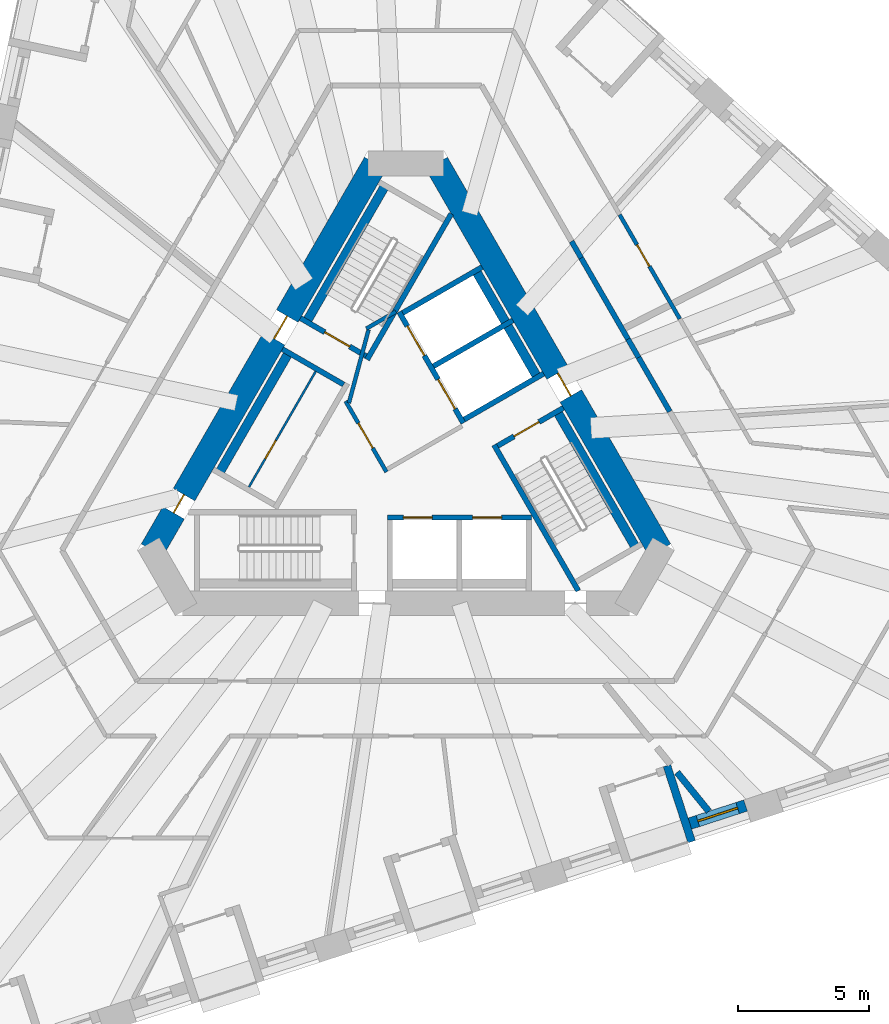
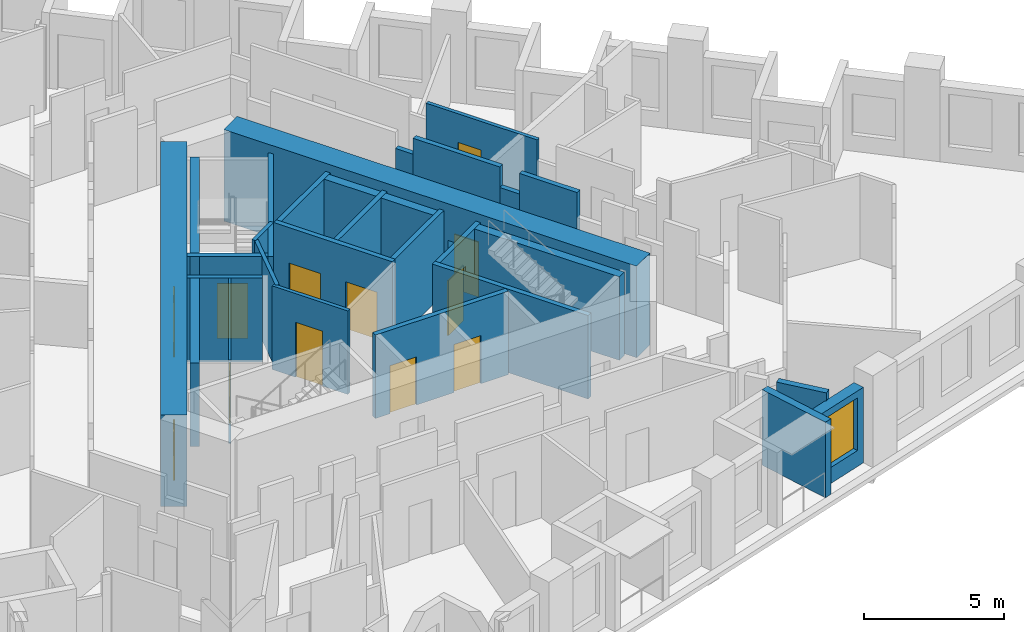
# One storey, part 5 of 13: 28 walls, 12 doors, 1 window, 13 openings.
"""IFC4 building model written with IfcOpenShell, lengths in metres."""

from ifc_helpers import new_model, si_unit, direction, frame, frame_2d, origin, place, context, subcontext, project, spatial, rectangle, extrude, material, layer, layer_set, type_object, element, fill, save


model = new_model("IFC4")

# Units and contexts
model_context = context("Model", 3, precision=1e-05, world=origin(), true_north=direction((0.0, 1.0)))
body_context = subcontext(model_context, "Body", "Model", "MODEL_VIEW")
ifc_project = project(units=[si_unit("LENGTHUNIT", "METRE"), si_unit("AREAUNIT", "SQUARE_METRE"), si_unit("VOLUMEUNIT", "CUBIC_METRE"), si_unit("PLANEANGLEUNIT", "RADIAN"), si_unit("MASSUNIT", "GRAM", prefix="KILO")], contexts=[model_context])

# Site, building, storey
site_placement = place(None, origin())
site = spatial("IfcSite", under=ifc_project, at=site_placement, CompositionType="ELEMENT")
building_placement = place(site_placement, origin())
building = spatial("IfcBuilding", under=site, at=building_placement, Name="Tramontana Tower", CompositionType="ELEMENT")
storey_placement = place(building_placement, frame((0.0, 0.0, 112.39990234375)))
storey = spatial("IfcBuildingStorey", under=building, at=storey_placement, Name="L25", CompositionType="ELEMENT", Elevation=112.39990234375)

# Wall, openings, doors
ifc_material_1 = material(Name="Concrete 70 MPa", Category="concrete")
ifc_layer_1 = layer(ifc_material_1, 0.949951171875)
ifc_layer_set_1 = layer_set([ifc_layer_1], Name="Core wall 950 70 MPa")
wall_type_1 = type_object("IfcWallType", Name="Core wall 950 70 MPa", PredefinedType="SHEAR", material=ifc_layer_set_1)
wall_1_placement = place(storey_placement, frame((-1.169189453125, 10.52490234375, 0.0), z_axis=(0.0, 0.0, 1.0), x_axis=(-0.499999102847, -0.866025921755, 0.0)))
wall_1 = element("IfcWall", 1, at=wall_1_placement, inside=storey, type_object=wall_type_1, Name="Core wall C1 L25", PredefinedType="SHEAR", context=body_context, shape_type="SweptSolid", body=[
    extrude(rectangle(XDim=17.060546875, YDim=0.949951171875, at=frame_2d((8.5302734375, 0.0))), origin(), (0.0, 0.0, 1.0), 4.0),
])
opening_1_placement = place(wall_1_placement, frame((6.7353515625, 0.0, 0.0)))
opening_1 = element("IfcOpeningElement", 2, at=opening_1_placement, cuts=wall_1, Name="Opening RG1", PredefinedType="OPENING", context=body_context, shape_type="SweptSolid", body=[
    extrude(rectangle(XDim=1.0, YDim=2.39990234375, at=frame_2d((0.5, 1.199951171875))), frame((0.0, 0.48486328125, 0.0), z_axis=(0.0, -1.0, 0.0), x_axis=(1.0, 0.0, 0.0)), (0.0, 0.0, 1.0), 0.969970703125),
])
opening_2_placement = place(wall_1_placement, frame((14.612548828125, 0.0, 0.0)))
opening_2 = element("IfcOpeningElement", 3, at=opening_2_placement, cuts=wall_1, Name="Opening PD1", PredefinedType="OPENING", context=body_context, shape_type="SweptSolid", body=[
    extrude(rectangle(XDim=0.800048828125, YDim=2.10009765625, at=frame_2d((0.39990234375, 1.050048828125))), frame((0.0, 0.48486328125, 0.0), z_axis=(0.0, -1.0, 0.0), x_axis=(1.0, 0.0, 0.0)), (0.0, 0.0, 1.0), 0.969970703125),
])
ifc_material_2 = material(Name="Painted steel", Category="steel")
door_type_1 = type_object("IfcDoorType", Name="CUPBOARD DOOR 800", OperationType="SINGLE_SWING_LEFT", PredefinedType="DOOR", material=ifc_material_2)
door_1_placement = place(opening_2_placement, origin())
door_1 = element("IfcDoor", 4, at=door_1_placement, inside=storey, type_object=door_type_1, Name="Door PD1", OperationType="SINGLE_SWING_LEFT", OverallHeight=2.10009765625, OverallWidth=0.800048828125, PredefinedType="DOOR", context=body_context, shape_type="SweptSolid", body=[
    extrude(rectangle(XDim=0.800048828125, YDim=2.10009765625, at=frame_2d((0.39990234375, 1.050048828125))), frame((0.0, 0.02490234375, 0.0), z_axis=(0.0, -1.0, 0.0), x_axis=(1.0, 0.0, 0.0)), (0.0, 0.0, 1.0), 0.050048828125),
])
fill(opening_2, door_1)
ifc_material_3 = material(Name="Painted steel", Category="steel")
door_type_2 = type_object("IfcDoorType", Name="RING DOOR 1000", OperationType="SINGLE_SWING_LEFT", PredefinedType="DOOR", material=ifc_material_3)
door_2_placement = place(opening_1_placement, origin())
door_2 = element("IfcDoor", 5, at=door_2_placement, inside=storey, type_object=door_type_2, Name="Door RG1", OperationType="SINGLE_SWING_RIGHT", OverallHeight=2.39990234375, OverallWidth=1.0, PredefinedType="DOOR", context=body_context, shape_type="SweptSolid", body=[
    extrude(rectangle(XDim=1.0, YDim=2.39990234375, at=frame_2d((0.5, 1.199951171875))), frame((0.0, 0.02490234375, 0.0), z_axis=(0.0, -1.0, 0.0), x_axis=(1.0, 0.0, 0.0)), (0.0, 0.0, 1.0), 0.050048828125),
])
fill(opening_1, door_2)

# Wall, opening, door
wall_2_placement = place(storey_placement, frame((9.699462890625, -4.25, 0.0), z_axis=(0.0, 0.0, 1.0), x_axis=(-0.499999102847, 0.866025921755, 0.0)))
wall_2 = element("IfcWall", 6, at=wall_2_placement, inside=storey, type_object=wall_type_1, Name="Core wall C5 L25", PredefinedType="SHEAR", context=body_context, shape_type="SweptSolid", body=[
    extrude(rectangle(XDim=17.060546875, YDim=0.949951171875, at=frame_2d((8.5302734375, 0.0))), origin(), (0.0, 0.0, 1.0), 4.0),
])
opening_3_placement = place(wall_2_placement, frame((6.805419921875, 0.0, 0.0)))
opening_3 = element("IfcOpeningElement", 7, at=opening_3_placement, cuts=wall_2, Name="Opening RG3", PredefinedType="OPENING", context=body_context, shape_type="SweptSolid", body=[
    extrude(rectangle(XDim=1.0, YDim=2.39990234375, at=frame_2d((0.5, 1.199951171875))), frame((0.0, 0.48486328125, 0.0), z_axis=(0.0, -1.0, 0.0), x_axis=(1.0, 0.0, 0.0)), (0.0, 0.0, 1.0), 0.969970703125),
])
door_3_placement = place(opening_3_placement, origin())
door_3 = element("IfcDoor", 8, at=door_3_placement, inside=storey, type_object=door_type_2, Name="Door RG3", OperationType="SINGLE_SWING_RIGHT", OverallHeight=2.39990234375, OverallWidth=1.0, PredefinedType="DOOR", context=body_context, shape_type="SweptSolid", body=[
    extrude(rectangle(XDim=1.0, YDim=2.39990234375, at=frame_2d((0.5, 1.199951171875))), frame((0.0, 0.02490234375, 0.0), z_axis=(0.0, -1.0, 0.0), x_axis=(1.0, 0.0, 0.0)), (0.0, 0.0, 1.0), 0.050048828125),
])
fill(opening_3, door_3)

# Walls
ifc_material_4 = material(Name="Blockwork", Category="masonry")
ifc_layer_2 = layer(ifc_material_4, 0.199951171875)
ifc_layer_set_2 = layer_set([ifc_layer_2], Name="ENTRY WALL 200")
wall_type_2 = type_object("IfcWallType", Name="ENTRY WALL 200", PredefinedType="SOLIDWALL", material=ifc_layer_set_2)
wall_3_placement = place(storey_placement, frame((6.323974609375, 7.546630859375, 0.0), z_axis=(0.0, 0.0, 1.0), x_axis=(0.499885169746, -0.866091690913, 0.0)))
element("IfcWall", 9, at=wall_3_placement, inside=storey, type_object=wall_type_2, Name="Wall v22-ew0-3", PredefinedType="SOLIDWALL", context=body_context, shape_type="SweptSolid", body=[
    extrude(rectangle(XDim=0.736083984375, YDim=0.199951171875, at=frame_2d((0.3681640625, 0.0))), origin(), (0.0, 0.0, 1.0), 2.9501953125),
])
wall_4_placement = place(storey_placement, frame((6.69189453125, 6.9091796875, 0.0), z_axis=(0.0, 0.0, 1.0), x_axis=(0.500029679218, -0.866008267802, 0.0)))
element("IfcWall", 10, at=wall_4_placement, inside=storey, type_object=wall_type_2, Name="Wall v22-ew0-4", PredefinedType="SOLIDWALL", context=body_context, shape_type="SweptSolid", body=[
    extrude(rectangle(XDim=3.576904296875, YDim=0.199951171875, at=frame_2d((1.78857421875, 0.0))), origin(), (0.0, 0.0, 1.0), 3.650146484375),
])
wall_5_placement = place(storey_placement, frame((8.48046875, 3.8115234375, 0.0), z_axis=(0.0, 0.0, 1.0), x_axis=(0.499809598504, -0.866135304236, 0.0)))
element("IfcWall", 11, at=wall_5_placement, inside=storey, type_object=wall_type_2, Name="Wall v22-ew0-5", PredefinedType="SOLIDWALL", context=body_context, shape_type="SweptSolid", body=[
    extrude(rectangle(XDim=0.808349609375, YDim=0.199951171875, at=frame_2d((0.404296875, 0.0))), origin(), (0.0, 0.0, 1.0), 2.75),
])
wall_6_placement = place(storey_placement, frame((8.884521484375, 3.111328125, 0.0), z_axis=(0.0, 0.0, 1.0), x_axis=(0.500035462246, -0.866004928679, 0.0)))
element("IfcWall", 12, at=wall_6_placement, inside=storey, type_object=wall_type_2, Name="Wall v22-ew0-6", PredefinedType="SOLIDWALL", context=body_context, shape_type="SweptSolid", body=[
    extrude(rectangle(XDim=2.385498046875, YDim=0.199951171875, at=frame_2d((1.19287109375, 0.0))), origin(), (0.0, 0.0, 1.0), 3.650146484375),
])

# Wall, opening, window
ifc_material_5 = material(Name="Precast concrete 60 MPa", Category="concrete")
ifc_layer_3 = layer(ifc_material_5, 0.449951171875)
ifc_layer_set_3 = layer_set([ifc_layer_3], Name="Precast concrete 60 MPa, 450 mm")
wall_type_3 = type_object("IfcWallType", Name="EW1 Stone-faced precast wall 450", PredefinedType="SOLIDWALL", material=ifc_layer_set_3)
wall_7_placement = place(storey_placement, frame((10.8447265625, -14.69287109375, 0.0), z_axis=(0.0, 0.0, 1.0), x_axis=(0.951057328329, 0.30901449518, 0.0)))
wall_7 = element("IfcWall", 13, at=wall_7_placement, inside=storey, type_object=wall_type_3, Name="External wall L25 face 1 bay 4", PredefinedType="SOLIDWALL", context=body_context, shape_type="SweptSolid", body=[
    extrude(rectangle(XDim=2.236572265625, YDim=0.449951171875, at=frame_2d((1.1181640625, 0.0))), origin(), (0.0, 0.0, 1.0), 3.300048828125),
])
opening_4_placement = place(wall_7_placement, frame((0.318359375, 0.0, 0.699951171875)))
opening_4 = element("IfcOpeningElement", 14, at=opening_4_placement, cuts=wall_7, Name="Opening M1", PredefinedType="OPENING", context=body_context, shape_type="SweptSolid", body=[
    extrude(rectangle(XDim=1.60009765625, YDim=2.300048828125, at=frame_2d((0.800048828125, 1.14990234375))), frame((0.0, 0.23486328125, 0.0), z_axis=(0.0, -1.0, 0.0), x_axis=(1.0, 0.0, 0.0)), (0.0, 0.0, 1.0), 0.469970703125),
])
ifc_material_6 = material(Name="Aluminum frame, double glazing unit", Category="aluminium")
window_type = type_object("IfcWindowType", Name="M1 Window 1.6 x 2.3", PartitioningType="SINGLE_PANEL", PredefinedType="WINDOW", material=ifc_material_6)
window_placement = place(opening_4_placement, origin())
window = element("IfcWindow", 15, at=window_placement, inside=storey, type_object=window_type, Name="Window M1 L25 face 1 module 12", OverallHeight=2.300048828125, OverallWidth=1.60009765625, PartitioningType="SINGLE_PANEL", PredefinedType="WINDOW", context=body_context, shape_type="SweptSolid", body=[
    extrude(rectangle(XDim=1.60009765625, YDim=2.300048828125, at=frame_2d((0.800048828125, 1.14990234375))), frame((0.0, 0.030029296875, 0.0), z_axis=(0.0, -1.0, 0.0), x_axis=(1.0, 0.0, 0.0)), (0.0, 0.0, 1.0), 0.06005859375),
])
fill(opening_4, window)

# Wall
ifc_material_7 = material(Name="Precast concrete 60 MPa", Category="concrete")
ifc_layer_4 = layer(ifc_material_7, 0.300048828125)
ifc_layer_set_4 = layer_set([ifc_layer_4], Name="LW1 Stone-faced loggia wall 300")
wall_type_4 = type_object("IfcWallType", Name="LW1 Stone-faced loggia wall 300", PredefinedType="SOLIDWALL", material=ifc_layer_set_4)
wall_8_placement = place(storey_placement, frame((10.91064453125, -15.38134765625, 0.0), z_axis=(0.0, 0.0, 1.0), x_axis=(-0.309039015525, 0.951049360908, 0.0)))
element("IfcWall", 16, at=wall_8_placement, inside=storey, type_object=wall_type_4, Name="Loggia return L25 G2S1.10b", PredefinedType="SOLIDWALL", context=body_context, shape_type="SweptSolid", body=[
    extrude(rectangle(XDim=3.05029296875, YDim=0.300048828125, at=frame_2d((1.525146484375, 0.0))), origin(), (0.0, 0.0, 1.0), 3.300048828125),
])

# Wall, opening, door
ifc_material_8 = material(Name="Gypsum board partition")
ifc_layer_5 = layer(ifc_material_8, 0.14990234375)
ifc_layer_set_5 = layer_set([ifc_layer_5], Name="PARTITION 150")
wall_type_5 = type_object("IfcWallType", Name="PARTITION 150", PredefinedType="PARTITIONING", material=ifc_layer_set_5)
wall_9_placement = place(storey_placement, frame((-0.744140625, -1.260986328125, 0.0), z_axis=(0.0, 0.0, 1.0), x_axis=(-0.500004234368, 0.866022959057, 0.0)))
wall_9 = element("IfcWall", 17, at=wall_9_placement, inside=storey, type_object=wall_type_5, Name="Wall ff-front", PredefinedType="PARTITIONING", context=body_context, shape_type="SweptSolid", body=[
    extrude(rectangle(XDim=3.125, YDim=0.14990234375, at=frame_2d((1.5625, 0.0))), origin(), (0.0, 0.0, 1.0), 3.650146484375),
])
opening_5_placement = place(wall_9_placement, frame((1.050048828125, 0.0, 0.0)))
opening_5 = element("IfcOpeningElement", 18, at=opening_5_placement, cuts=wall_9, Name="Opening FD1", PredefinedType="OPENING", context=body_context, shape_type="SweptSolid", body=[
    extrude(rectangle(XDim=1.10009765625, YDim=2.39990234375, at=frame_2d((0.550048828125, 1.199951171875))), frame((0.0, 0.0849609375, 0.0), z_axis=(0.0, -1.0, 0.0), x_axis=(1.0, 0.0, 0.0)), (0.0, 0.0, 1.0), 0.169921875),
])
ifc_material_9 = material(Name="Painted timber", Category="wood")
door_type_3 = type_object("IfcDoorType", Name="DOOR ENTRY 1100", OperationType="SINGLE_SWING_LEFT", PredefinedType="DOOR", material=ifc_material_9)
door_4_placement = place(opening_5_placement, origin())
door_4 = element("IfcDoor", 19, at=door_4_placement, inside=storey, type_object=door_type_3, Name="Door FD1", OperationType="SINGLE_SWING_LEFT", OverallHeight=2.39990234375, OverallWidth=1.10009765625, PredefinedType="DOOR", context=body_context, shape_type="SweptSolid", body=[
    extrude(rectangle(XDim=1.10009765625, YDim=2.39990234375, at=frame_2d((0.550048828125, 1.199951171875))), frame((0.0, 0.02490234375, 0.0), z_axis=(0.0, -1.0, 0.0), x_axis=(1.0, 0.0, 0.0)), (0.0, 0.0, 1.0), 0.050048828125),
])
fill(opening_5, door_4)

# Walls
wall_10_placement = place(storey_placement, frame((-2.177978515625, 1.372314453125, 0.0), z_axis=(0.0, 0.0, 1.0), x_axis=(0.258808958833, 0.96592852884, 0.0)))
element("IfcWall", 20, at=wall_10_placement, inside=storey, type_object=wall_type_5, Name="Wall ff-diag", PredefinedType="PARTITIONING", context=body_context, shape_type="SweptSolid", body=[
    extrude(rectangle(XDim=2.902587890625, YDim=0.14990234375, at=frame_2d((1.451171875, 0.0))), origin(), (0.0, 0.0, 1.0), 3.650146484375),
])
wall_11_placement = place(storey_placement, frame((-1.509765625, 4.21484375, 0.0), z_axis=(0.0, 0.0, 1.0), x_axis=(0.866085525409, 0.49989585183, 0.0)))
element("IfcWall", 21, at=wall_11_placement, inside=storey, type_object=wall_type_5, Name="Wall ff-end1", PredefinedType="PARTITIONING", context=body_context, shape_type="SweptSolid", body=[
    extrude(rectangle(XDim=1.300048828125, YDim=0.14990234375, at=frame_2d((0.64990234375, 0.0))), origin(), (0.0, 0.0, 1.0), 3.650146484375),
])

# Wall, opening, door
wall_12_placement = place(storey_placement, frame((8.162841796875, 8.5615234375, 0.0), z_axis=(0.0, 0.0, 1.0), x_axis=(0.500023253097, -0.866011978186, 0.0)))
wall_12 = element("IfcWall", 22, at=wall_12_placement, inside=storey, type_object=wall_type_5, Name="Wall v22-pw30-3", PredefinedType="PARTITIONING", context=body_context, shape_type="SweptSolid", body=[
    extrude(rectangle(XDim=4.590087890625, YDim=0.14990234375, at=frame_2d((2.294921875, 0.0))), origin(), (0.0, 0.0, 1.0), 3.650146484375),
])
opening_6_placement = place(wall_12_placement, frame((1.3212890625, 0.0, 0.0)))
opening_6 = element("IfcOpeningElement", 23, at=opening_6_placement, cuts=wall_12, Name="Opening B2C-04", PredefinedType="OPENING", context=body_context, shape_type="SweptSolid", body=[
    extrude(rectangle(XDim=0.949951171875, YDim=2.39990234375, at=frame_2d((0.47509765625, 1.199951171875))), frame((0.0, 0.0849609375, 0.0), z_axis=(0.0, -1.0, 0.0), x_axis=(1.0, 0.0, 0.0)), (0.0, 0.0, 1.0), 0.169921875),
])
ifc_material_10 = material(Name="Painted timber", Category="wood")
door_type_4 = type_object("IfcDoorType", Name="DOOR ROOM 950", OperationType="SINGLE_SWING_LEFT", PredefinedType="DOOR", material=ifc_material_10)
door_5_placement = place(opening_6_placement, origin())
door_5 = element("IfcDoor", 24, at=door_5_placement, inside=storey, type_object=door_type_4, Name="Door B2C-04", OperationType="SINGLE_SWING_RIGHT", OverallHeight=2.39990234375, OverallWidth=0.949951171875, PredefinedType="DOOR", context=body_context, shape_type="SweptSolid", body=[
    extrude(rectangle(XDim=0.949951171875, YDim=2.39990234375, at=frame_2d((0.47509765625, 1.199951171875))), frame((0.0, 0.02490234375, 0.0), z_axis=(0.0, -1.0, 0.0), x_axis=(1.0, 0.0, 0.0)), (0.0, 0.0, 1.0), 0.050048828125),
])
fill(opening_6, door_5)

ifc_material_11 = material(Name="Gypsum board partition")
ifc_layer_6 = layer(ifc_material_11, 0.080078125)
ifc_layer_set_6 = layer_set([ifc_layer_6], Name="PARTITION 80")
wall_type_6 = type_object("IfcWallType", Name="PARTITION 80", PredefinedType="PARTITIONING", material=ifc_layer_set_6)
wall_13_placement = place(storey_placement, frame((-5.997314453125, -1.837646484375, 0.0), z_axis=(0.0, 0.0, 1.0), x_axis=(0.500005610874, 0.86602216432, 0.0)))
wall_13 = element("IfcWall", 25, at=wall_13_placement, inside=storey, type_object=wall_type_6, Name="Wall row0-split", PredefinedType="PARTITIONING", context=body_context, shape_type="SweptSolid", body=[
    extrude(rectangle(XDim=5.10009765625, YDim=0.080078125, at=frame_2d((2.550048828125, 0.0))), origin(), (0.0, 0.0, 1.0), 3.650146484375),
])
opening_7_placement = place(wall_13_placement, frame((1.25, 0.0, 0.0)))
opening_7 = element("IfcOpeningElement", 26, at=opening_7_placement, cuts=wall_13, Name="Opening RD-0B", PredefinedType="OPENING", context=body_context, shape_type="SweptSolid", body=[
    extrude(rectangle(XDim=0.800048828125, YDim=2.10009765625, at=frame_2d((0.39990234375, 1.050048828125))), frame((0.0, 0.050048828125, 0.0), z_axis=(0.0, -1.0, 0.0), x_axis=(1.0, 0.0, 0.0)), (0.0, 0.0, 1.0), 0.10009765625),
])
door_6_placement = place(opening_7_placement, origin())
door_6 = element("IfcDoor", 27, at=door_6_placement, inside=storey, type_object=door_type_1, Name="Door RD-0B", OperationType="SINGLE_SWING_RIGHT", OverallHeight=2.10009765625, OverallWidth=0.800048828125, PredefinedType="DOOR", context=body_context, shape_type="SweptSolid", body=[
    extrude(rectangle(XDim=0.800048828125, YDim=2.10009765625, at=frame_2d((0.39990234375, 1.050048828125))), frame((0.0, 0.02490234375, 0.0), z_axis=(0.0, -1.0, 0.0), x_axis=(1.0, 0.0, 0.0)), (0.0, 0.0, 1.0), 0.050048828125),
])
fill(opening_7, door_6)

# Walls
ifc_material_12 = material(Name="Blockwork", Category="masonry")
ifc_layer_7 = layer(ifc_material_12, 0.25)
ifc_layer_set_7 = layer_set([ifc_layer_7], Name="PARTY WALL 250")
wall_type_7 = type_object("IfcWallType", Name="PARTY WALL 250", PredefinedType="SOLIDWALL", material=ifc_layer_set_7)
wall_14_placement = place(storey_placement, frame((10.35595703125, -12.735595703125, 0.0), z_axis=(0.0, 0.0, 1.0), x_axis=(0.630813245968, -0.775934693586, 0.0)))
element("IfcWall", 28, at=wall_14_placement, inside=storey, type_object=wall_type_7, Name="Wall v22-pw33", PredefinedType="SOLIDWALL", context=body_context, shape_type="SweptSolid", body=[
    extrude(rectangle(XDim=1.916259765625, YDim=0.25, at=frame_2d((0.9580078125, 0.0))), origin(), (0.0, 0.0, 1.0), 3.650146484375),
])
ifc_material_13 = material(Name="Concrete 70 MPa", Category="concrete")
ifc_layer_8 = layer(ifc_material_13, 0.35009765625)
ifc_layer_set_8 = layer_set([ifc_layer_8], Name="Concrete 70 MPa, 350 mm")
wall_type_8 = type_object("IfcWallType", Name="RC SHAFT BACK WALL 350", PredefinedType="SOLIDWALL", material=ifc_layer_set_8)
wall_15_placement = place(storey_placement, frame((-0.744873046875, 9.760009765625, 0.0), z_axis=(0.0, 0.0, 1.0), x_axis=(-0.49998037582, -0.866036733513, 0.0)))
element("IfcWall", 29, at=wall_15_placement, inside=storey, type_object=wall_type_8, Name="Wall st1-back", PredefinedType="SOLIDWALL", context=body_context, shape_type="SweptSolid", body=[
    extrude(rectangle(XDim=6.199951171875, YDim=0.35009765625, at=frame_2d((3.10009765625, 0.0))), origin(), (0.0, 0.0, 1.0), 3.650146484375),
])
wall_16_placement = place(storey_placement, frame((8.82470703125, -4.23486328125, 0.0), z_axis=(0.0, 0.0, 1.0), x_axis=(-0.499997426962, 0.866026889324, 0.0)))
element("IfcWall", 30, at=wall_16_placement, inside=storey, type_object=wall_type_8, Name="Wall st3-back", PredefinedType="SOLIDWALL", context=body_context, shape_type="SweptSolid", body=[
    extrude(rectangle(XDim=6.19970703125, YDim=0.35009765625, at=frame_2d((3.099853515625, 0.0))), origin(), (0.0, 0.0, 1.0), 3.650146484375),
])
wall_17_placement = place(storey_placement, frame((-4.4296875, 3.37744140625, 0.0), z_axis=(0.0, 0.0, 1.0), x_axis=(-0.499996545922, -0.866027397988, 0.0)))
element("IfcWall", 31, at=wall_17_placement, inside=storey, type_object=wall_type_8, Name="Wall row0-back", PredefinedType="SOLIDWALL", context=body_context, shape_type="SweptSolid", body=[
    extrude(rectangle(XDim=5.5, YDim=0.35009765625, at=frame_2d((2.75, 0.0))), origin(), (0.0, 0.0, 1.0), 3.650146484375),
])
wall_18_placement = place(storey_placement, frame((5.06982421875, 2.268798828125, 0.0), z_axis=(0.0, 0.0, 1.0), x_axis=(-0.49998122708, 0.866036242063, 0.0)))
element("IfcWall", 32, at=wall_18_placement, inside=storey, type_object=wall_type_8, Name="Wall row2-back", PredefinedType="SOLIDWALL", context=body_context, shape_type="SweptSolid", body=[
    extrude(rectangle(XDim=4.900146484375, YDim=0.35009765625, at=frame_2d((2.4501953125, 0.0))), origin(), (0.0, 0.0, 1.0), 3.650146484375),
])
ifc_material_14 = material(Name="Concrete 70 MPa", Category="concrete")
ifc_layer_9 = layer(ifc_material_14, 0.199951171875)
ifc_layer_set_9 = layer_set([ifc_layer_9], Name="Concrete 70 MPa, 200 mm")
wall_type_9 = type_object("IfcWallType", Name="RC STAIR AND SHAFT WALL 200", PredefinedType="SOLIDWALL", material=ifc_layer_set_9)
wall_19_placement = place(storey_placement, frame((1.73193359375, 8.60009765625, 0.0), z_axis=(0.0, 0.0, 1.0), x_axis=(-0.499975376872, -0.866039619487, 0.0)))
element("IfcWall", 33, at=wall_19_placement, inside=storey, type_object=wall_type_9, Name="Wall st1-front", PredefinedType="SOLIDWALL", context=body_context, shape_type="SweptSolid", body=[
    extrude(rectangle(XDim=6.433837890625, YDim=0.199951171875, at=frame_2d((3.216796875, 0.0))), origin(), (0.0, 0.0, 1.0), 3.650146484375),
])

# Wall, opening, door
wall_20_placement = place(storey_placement, frame((-1.521484375, 3.164794921875, 0.0), z_axis=(0.0, 0.0, 1.0), x_axis=(-0.866032775405, 0.499987231761, 0.0)))
wall_20 = element("IfcWall", 34, at=wall_20_placement, inside=storey, type_object=wall_type_9, Name="Wall st1-near", PredefinedType="SOLIDWALL", context=body_context, shape_type="SweptSolid", body=[
    extrude(rectangle(XDim=2.89990234375, YDim=0.199951171875, at=frame_2d((1.449951171875, 0.0))), origin(), (0.0, 0.0, 1.0), 3.650146484375),
])
opening_8_placement = place(wall_20_placement, frame((0.72509765625, 0.0, 0.0)))
opening_8 = element("IfcOpeningElement", 35, at=opening_8_placement, cuts=wall_20, Name="Opening SD1", PredefinedType="OPENING", context=body_context, shape_type="SweptSolid", body=[
    extrude(rectangle(XDim=1.10009765625, YDim=2.39990234375, at=frame_2d((0.550048828125, 1.199951171875))), frame((0.0, 0.10986328125, 0.0), z_axis=(0.0, -1.0, 0.0), x_axis=(1.0, 0.0, 0.0)), (0.0, 0.0, 1.0), 0.219970703125),
])
ifc_material_15 = material(Name="Painted steel", Category="steel")
door_type_5 = type_object("IfcDoorType", Name="STAIR DOOR 1100", OperationType="SINGLE_SWING_LEFT", PredefinedType="DOOR", material=ifc_material_15)
door_7_placement = place(opening_8_placement, origin())
door_7 = element("IfcDoor", 36, at=door_7_placement, inside=storey, type_object=door_type_5, Name="Door SD1", OperationType="SINGLE_SWING_RIGHT", OverallHeight=2.39990234375, OverallWidth=1.10009765625, PredefinedType="DOOR", context=body_context, shape_type="SweptSolid", body=[
    extrude(rectangle(XDim=1.10009765625, YDim=2.39990234375, at=frame_2d((0.550048828125, 1.199951171875))), frame((0.0, 0.02490234375, 0.0), z_axis=(0.0, -1.0, 0.0), x_axis=(1.0, 0.0, 0.0)), (0.0, 0.0, 1.0), 0.050048828125),
])
fill(opening_8, door_7)

# Wall
wall_21_placement = place(storey_placement, frame((6.581787109375, -5.800048828125, 0.0), z_axis=(0.0, 0.0, 1.0), x_axis=(-0.499975376872, 0.866039619487, 0.0)))
element("IfcWall", 37, at=wall_21_placement, inside=storey, type_object=wall_type_9, Name="Wall st3-front", PredefinedType="SOLIDWALL", context=body_context, shape_type="SweptSolid", body=[
    extrude(rectangle(XDim=6.433837890625, YDim=0.199951171875, at=frame_2d((3.216796875, 0.0))), origin(), (0.0, 0.0, 1.0), 3.650146484375),
])

# Wall, opening, door
wall_22_placement = place(storey_placement, frame((3.50146484375, -0.2646484375, 0.0), z_axis=(0.0, 0.0, 1.0), x_axis=(0.866032775405, 0.499987231761, 0.0)))
wall_22 = element("IfcWall", 38, at=wall_22_placement, inside=storey, type_object=wall_type_9, Name="Wall st3-near", PredefinedType="SOLIDWALL", context=body_context, shape_type="SweptSolid", body=[
    extrude(rectangle(XDim=2.89990234375, YDim=0.199951171875, at=frame_2d((1.449951171875, 0.0))), origin(), (0.0, 0.0, 1.0), 3.650146484375),
])
opening_9_placement = place(wall_22_placement, frame((0.72509765625, 0.0, 0.0)))
opening_9 = element("IfcOpeningElement", 39, at=opening_9_placement, cuts=wall_22, Name="Opening SD3", PredefinedType="OPENING", context=body_context, shape_type="SweptSolid", body=[
    extrude(rectangle(XDim=1.10009765625, YDim=2.39990234375, at=frame_2d((0.550048828125, 1.199951171875))), frame((0.0, 0.10986328125, 0.0), z_axis=(0.0, -1.0, 0.0), x_axis=(1.0, 0.0, 0.0)), (0.0, 0.0, 1.0), 0.219970703125),
])
door_8_placement = place(opening_9_placement, origin())
door_8 = element("IfcDoor", 40, at=door_8_placement, inside=storey, type_object=door_type_5, Name="Door SD3", OperationType="SINGLE_SWING_RIGHT", OverallHeight=2.39990234375, OverallWidth=1.10009765625, PredefinedType="DOOR", context=body_context, shape_type="SweptSolid", body=[
    extrude(rectangle(XDim=1.10009765625, YDim=2.39990234375, at=frame_2d((0.550048828125, 1.199951171875))), frame((0.0, 0.02490234375, 0.0), z_axis=(0.0, -1.0, 0.0), x_axis=(1.0, 0.0, 0.0)), (0.0, 0.0, 1.0), 0.050048828125),
])
fill(opening_9, door_8)

# Wall
wall_23_placement = place(storey_placement, frame((-2.379638671875, 2.078369140625, 0.0), z_axis=(0.0, 0.0, 1.0), x_axis=(-0.866059108428, 0.4999416173, 0.0)))
element("IfcWall", 41, at=wall_23_placement, inside=storey, type_object=wall_type_9, Name="Wall row0-side0", PredefinedType="SOLIDWALL", context=body_context, shape_type="SweptSolid", body=[
    extrude(rectangle(XDim=2.699951171875, YDim=0.199951171875, at=frame_2d((1.35009765625, 0.0))), origin(), (0.0, 0.0, 1.0), 3.650146484375),
])

# Wall, openings, doors
wall_24_placement = place(storey_placement, frame((-0.7099609375, -3.0, 0.0), z_axis=(0.0, 0.0, 1.0), x_axis=(1.0, 0.0, 0.0)))
wall_24 = element("IfcWall", 42, at=wall_24_placement, inside=storey, type_object=wall_type_9, Name="Wall row1-front", PredefinedType="SOLIDWALL", context=body_context, shape_type="SweptSolid", body=[
    extrude(rectangle(XDim=5.5, YDim=0.199951171875, at=frame_2d((2.75, 0.0))), origin(), (0.0, 0.0, 1.0), 3.650146484375),
])
opening_10_placement = place(wall_24_placement, frame((0.610107421875, 0.0, 0.0)))
opening_10 = element("IfcOpeningElement", 43, at=opening_10_placement, cuts=wall_24, Name="Opening LD-S1", PredefinedType="OPENING", context=body_context, shape_type="SweptSolid", body=[
    extrude(rectangle(XDim=1.10009765625, YDim=2.10009765625, at=frame_2d((0.550048828125, 1.050048828125))), frame((0.0, 0.10986328125, 0.0), z_axis=(0.0, -1.0, 0.0), x_axis=(1.0, 0.0, 0.0)), (0.0, 0.0, 1.0), 0.219970703125),
])
opening_11_placement = place(wall_24_placement, frame((3.260009765625, 0.0, 0.0)))
opening_11 = element("IfcOpeningElement", 44, at=opening_11_placement, cuts=wall_24, Name="Opening LD-S2", PredefinedType="OPENING", context=body_context, shape_type="SweptSolid", body=[
    extrude(rectangle(XDim=1.10009765625, YDim=2.10009765625, at=frame_2d((0.550048828125, 1.050048828125))), frame((0.0, 0.10986328125, 0.0), z_axis=(0.0, -1.0, 0.0), x_axis=(1.0, 0.0, 0.0)), (0.0, 0.0, 1.0), 0.219970703125),
])
ifc_material_16 = material(Name="Brushed steel", Category="steel")
door_type_6 = type_object("IfcDoorType", Name="LANDING DOOR 1100", OperationType="SINGLE_SWING_LEFT", PredefinedType="DOOR", material=ifc_material_16)
door_9_placement = place(opening_10_placement, origin())
door_9 = element("IfcDoor", 45, at=door_9_placement, inside=storey, type_object=door_type_6, Name="Door LD-S1", OperationType="SLIDING_TO_LEFT", OverallHeight=2.10009765625, OverallWidth=1.10009765625, PredefinedType="DOOR", context=body_context, shape_type="SweptSolid", body=[
    extrude(rectangle(XDim=1.10009765625, YDim=2.10009765625, at=frame_2d((0.550048828125, 1.050048828125))), frame((0.0, 0.02490234375, 0.0), z_axis=(0.0, -1.0, 0.0), x_axis=(1.0, 0.0, 0.0)), (0.0, 0.0, 1.0), 0.050048828125),
])
fill(opening_10, door_9)
door_10_placement = place(opening_11_placement, origin())
door_10 = element("IfcDoor", 46, at=door_10_placement, inside=storey, type_object=door_type_6, Name="Door LD-S2", OperationType="SLIDING_TO_RIGHT", OverallHeight=2.10009765625, OverallWidth=1.10009765625, PredefinedType="DOOR", context=body_context, shape_type="SweptSolid", body=[
    extrude(rectangle(XDim=1.10009765625, YDim=2.10009765625, at=frame_2d((0.550048828125, 1.050048828125))), frame((0.0, 0.02490234375, 0.0), z_axis=(0.0, -1.0, 0.0), x_axis=(1.0, 0.0, 0.0)), (0.0, 0.0, 1.0), 0.050048828125),
])
fill(opening_11, door_10)

wall_25_placement = place(storey_placement, frame((2.190185546875, 0.6064453125, 0.0), z_axis=(0.0, 0.0, 1.0), x_axis=(-0.500002801628, 0.866023786258, 0.0)))
wall_25 = element("IfcWall", 47, at=wall_25_placement, inside=storey, type_object=wall_type_9, Name="Wall row2-front", PredefinedType="SOLIDWALL", context=body_context, shape_type="SweptSolid", body=[
    extrude(rectangle(XDim=4.89990234375, YDim=0.199951171875, at=frame_2d((2.449951171875, 0.0))), origin(), (0.0, 0.0, 1.0), 3.650146484375),
])
opening_12_placement = place(wall_25_placement, frame((0.625, 0.0, 0.0)))
opening_12 = element("IfcOpeningElement", 48, at=opening_12_placement, cuts=wall_25, Name="Opening LD-F1", PredefinedType="OPENING", context=body_context, shape_type="SweptSolid", body=[
    extrude(rectangle(XDim=1.300048828125, YDim=2.10009765625, at=frame_2d((0.64990234375, 1.050048828125))), frame((0.0, 0.10986328125, 0.0), z_axis=(0.0, -1.0, 0.0), x_axis=(1.0, 0.0, 0.0)), (0.0, 0.0, 1.0), 0.219970703125),
])
opening_13_placement = place(wall_25_placement, frame((2.97509765625, 0.0, 0.0)))
opening_13 = element("IfcOpeningElement", 49, at=opening_13_placement, cuts=wall_25, Name="Opening LD-F2", PredefinedType="OPENING", context=body_context, shape_type="SweptSolid", body=[
    extrude(rectangle(XDim=1.300048828125, YDim=2.10009765625, at=frame_2d((0.64990234375, 1.050048828125))), frame((0.0, 0.10986328125, 0.0), z_axis=(0.0, -1.0, 0.0), x_axis=(1.0, 0.0, 0.0)), (0.0, 0.0, 1.0), 0.219970703125),
])
ifc_material_17 = material(Name="Brushed steel", Category="steel")
door_type_7 = type_object("IfcDoorType", Name="LANDING DOOR 1300", OperationType="SINGLE_SWING_LEFT", PredefinedType="DOOR", material=ifc_material_17)
door_11_placement = place(opening_12_placement, origin())
door_11 = element("IfcDoor", 50, at=door_11_placement, inside=storey, type_object=door_type_7, Name="Door LD-F1", OperationType="SLIDING_TO_LEFT", OverallHeight=2.10009765625, OverallWidth=1.300048828125, PredefinedType="DOOR", context=body_context, shape_type="SweptSolid", body=[
    extrude(rectangle(XDim=1.300048828125, YDim=2.10009765625, at=frame_2d((0.64990234375, 1.050048828125))), frame((0.0, 0.02490234375, 0.0), z_axis=(0.0, -1.0, 0.0), x_axis=(1.0, 0.0, 0.0)), (0.0, 0.0, 1.0), 0.050048828125),
])
fill(opening_12, door_11)
door_12_placement = place(opening_13_placement, origin())
door_12 = element("IfcDoor", 51, at=door_12_placement, inside=storey, type_object=door_type_7, Name="Door LD-F2", OperationType="SLIDING_TO_RIGHT", OverallHeight=2.10009765625, OverallWidth=1.300048828125, PredefinedType="DOOR", context=body_context, shape_type="SweptSolid", body=[
    extrude(rectangle(XDim=1.300048828125, YDim=2.10009765625, at=frame_2d((0.64990234375, 1.050048828125))), frame((0.0, 0.02490234375, 0.0), z_axis=(0.0, -1.0, 0.0), x_axis=(1.0, 0.0, 0.0)), (0.0, 0.0, 1.0), 0.050048828125),
])
fill(opening_13, door_12)

# Walls
for number, where, z_axis, x_axis, name in (
    (52, (2.226806640625, 0.742919921875, 0.0), (0.0, 0.0, 1.0), (0.866036909293, 0.499980071345, 0.0), "Wall row2-side0"),
    (53, (1.0517578125, 2.778076171875, 0.0), (0.0, 0.0, 1.0), (0.866036909293, 0.499980071345, 0.0), "Wall row2-side1"),
):
    element("IfcWall", number, at=place(storey_placement, frame(where, z_axis=z_axis, x_axis=x_axis)), inside=storey, type_object=wall_type_9, Name=name, PredefinedType="SOLIDWALL", context=body_context, shape_type="SweptSolid", body=[
        extrude(rectangle(XDim=3.500244140625, YDim=0.199951171875, at=frame_2d((1.75, 0.0))), origin(), (0.0, 0.0, 1.0), 3.650146484375),
    ])
wall_26_placement = place(storey_placement, frame((-0.123046875, 4.813232421875, 0.0), z_axis=(0.0, 0.0, 1.0), x_axis=(0.866019471182, 0.500010275428, 0.0)))
element("IfcWall", 54, at=wall_26_placement, inside=storey, type_object=wall_type_9, Name="Wall row2-side2", PredefinedType="SOLIDWALL", context=body_context, shape_type="SweptSolid", body=[
    extrude(rectangle(XDim=3.5, YDim=0.199951171875, at=frame_2d((1.75, 0.0))), origin(), (0.0, 0.0, 1.0), 3.650146484375),
])

save(model, "model.ifc")
